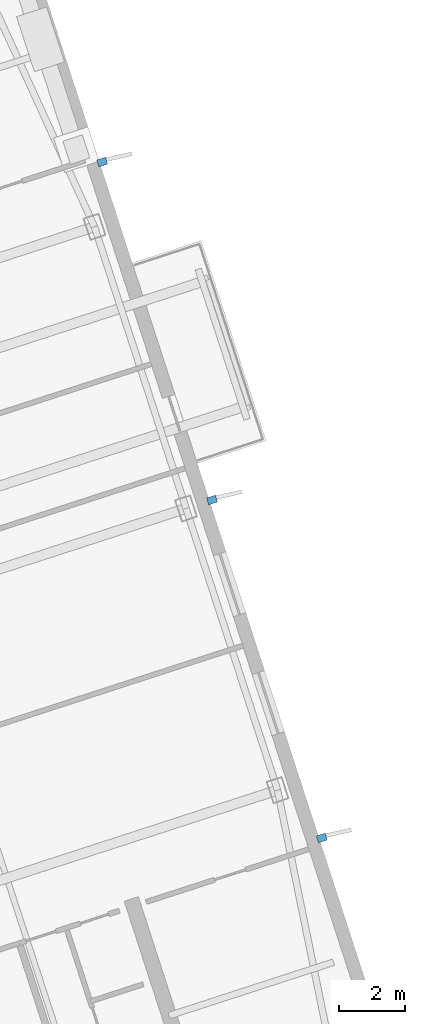
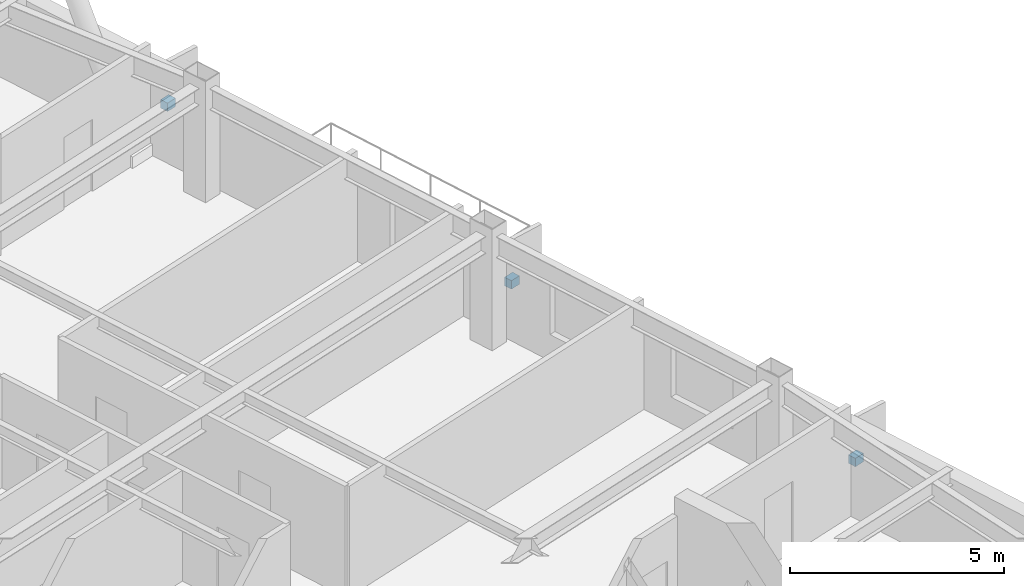
# One storey, part 13 of 18: 3 discrete accessories.
"""IFC4 building model written with IfcOpenShell, lengths in metres."""

from ifc_helpers import new_model, si_unit, direction, frame, origin, origin_2d, place, context, subcontext, project, spatial, rectangle, extrude, material, type_object, element, save


model = new_model("IFC4")

# Units and contexts
model_context = context("Model", 3, precision=1e-05, world=origin(), true_north=direction((0.0, 1.0)))
body_context = subcontext(model_context, "Body", "Model", "MODEL_VIEW")
ifc_project = project(units=[si_unit("LENGTHUNIT", "METRE"), si_unit("AREAUNIT", "SQUARE_METRE"), si_unit("VOLUMEUNIT", "CUBIC_METRE"), si_unit("PLANEANGLEUNIT", "RADIAN"), si_unit("MASSUNIT", "GRAM", prefix="KILO")], contexts=[model_context])

# Site, building, storey
site_placement = place(None, origin())
site = spatial("IfcSite", under=ifc_project, at=site_placement, CompositionType="ELEMENT")
building_placement = place(site_placement, origin())
building = spatial("IfcBuilding", under=site, at=building_placement, Name="Qiaolan Cultural Towers", CompositionType="ELEMENT")
storey_placement = place(building_placement, frame((0.0, 0.0, 226.550048828125)))
storey = spatial("IfcBuildingStorey", under=building, at=storey_placement, Name="L61", CompositionType="ELEMENT", Elevation=226.550048828125)

# Discrete accessories
ifc_material = material(Name="Stainless Steel S31608 Facade Anchor Bracket", Category="steel")
discrete_accessory_type = type_object("IfcDiscreteAccessoryType", Name="ACC-BRK-SS", PredefinedType="BRACKET", material=ifc_material)
for number, where, z_axis, x_axis, name in (
    (1, (106.91845703125, 28.141357421875, 1.15478515625), (0.0, 0.0, 1.0), (0.951056516295, 0.309016994375, 0.0), "L61 T2 Facade Fin Anchor Bracket E1"),
    (2, (103.5810546875, 38.412841796875, 1.15478515625), (0.0, 0.0, 1.0), (0.951056516295, 0.309016994375, 0.0), "L61 T2 Facade Fin Anchor Bracket E2"),
    (3, (100.24365234375, 48.68408203125, 1.15478515625), (0.0, 0.0, 1.0), (0.951056516295, 0.309016994375, 0.0), "L61 T2 Facade Fin Anchor Bracket E3"),
):
    element("IfcDiscreteAccessory", number, at=place(storey_placement, frame(where, z_axis=z_axis, x_axis=x_axis)), inside=storey, type_object=discrete_accessory_type, Name=name, PredefinedType="BRACKET", context=body_context, shape_type="SweptSolid", body=[
        extrude(rectangle(XDim=0.280029296875, YDim=0.219970703125, at=origin_2d()), origin(), (0.0, 0.0, 1.0), 0.239990234375),
    ])

save(model, "model.ifc")
